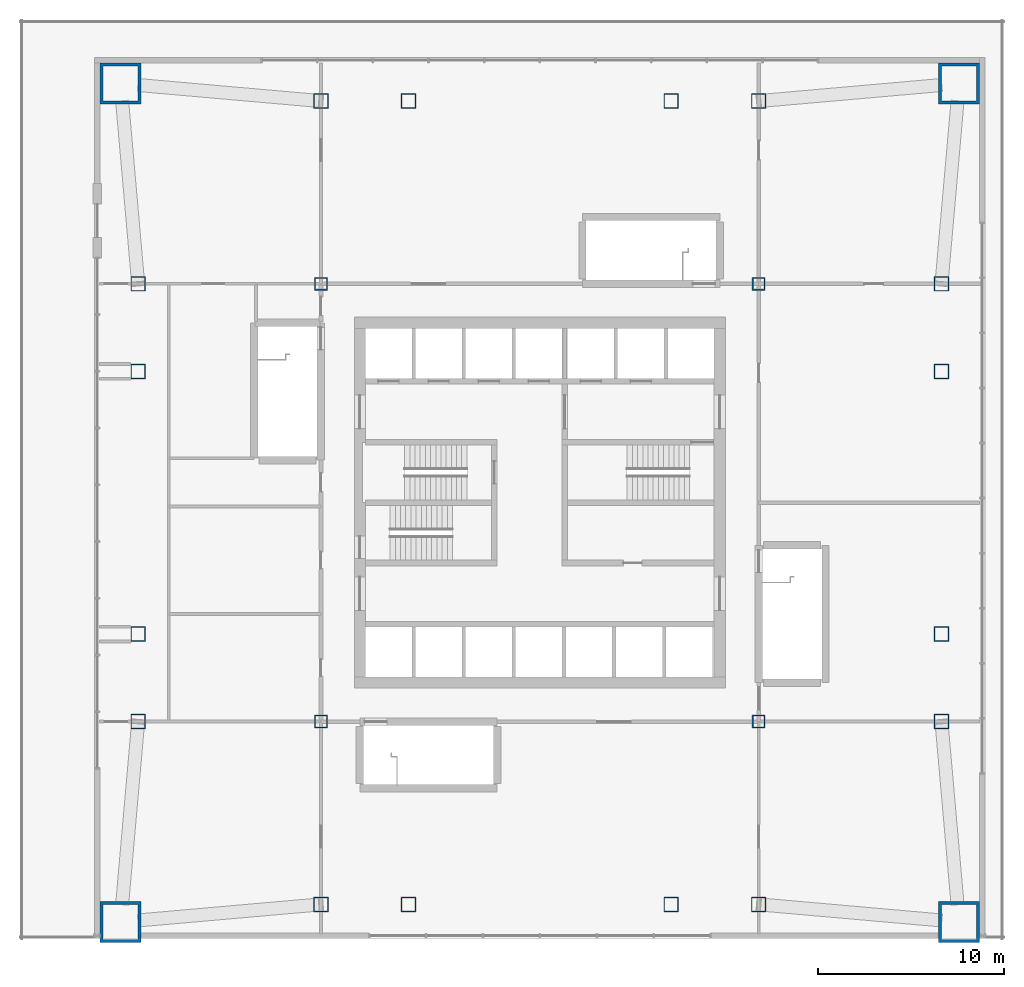
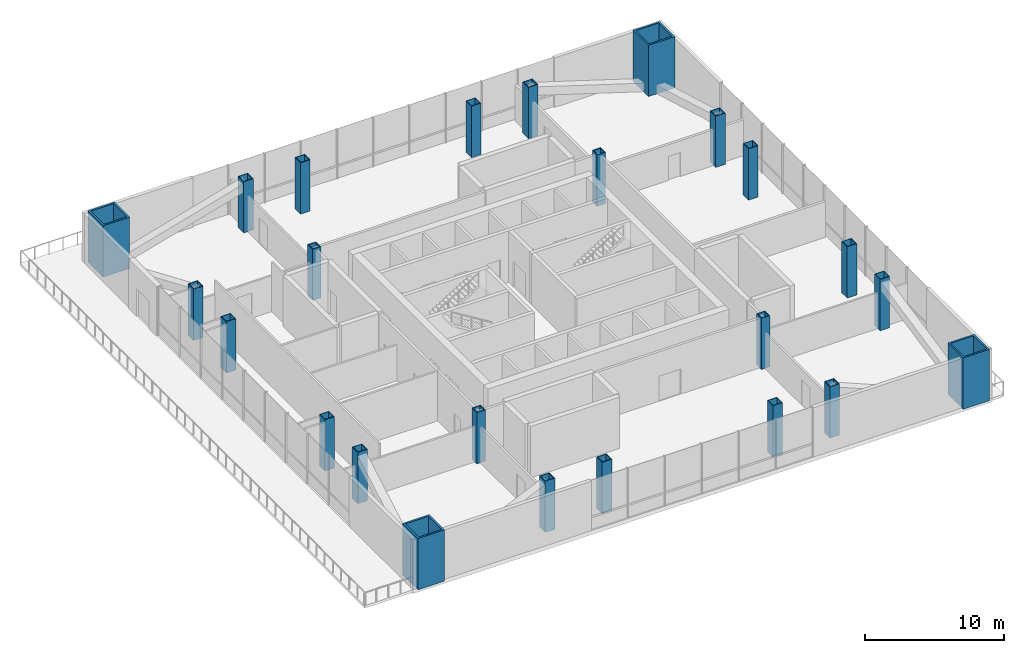
# One storey, part 1 of 15: 24 columns.
"""IFC4 building model written with IfcOpenShell, lengths in metres."""

from ifc_helpers import new_model, si_unit, direction, frame, origin, origin_2d, place, context, subcontext, project, spatial, hollow_rectangle, extrude, material, material_profile, profile_set, type_object, element, save


model = new_model("IFC4")

# Units and contexts
model_context = context("Model", 3, precision=1e-05, world=origin(), true_north=direction((0.0, 1.0)))
body_context = subcontext(model_context, "Body", "Model", "MODEL_VIEW")
ifc_project = project(units=[si_unit("LENGTHUNIT", "METRE"), si_unit("AREAUNIT", "SQUARE_METRE"), si_unit("VOLUMEUNIT", "CUBIC_METRE"), si_unit("PLANEANGLEUNIT", "RADIAN"), si_unit("MASSUNIT", "GRAM", prefix="KILO")], contexts=[model_context])

# Site, building, storey
site_placement = place(None, origin())
site = spatial("IfcSite", under=ifc_project, at=site_placement, CompositionType="ELEMENT")
building_placement = place(site_placement, origin())
building = spatial("IfcBuilding", under=site, at=building_placement, Name="Turquesa Mirador Hotel Tower", CompositionType="ELEMENT")
storey_placement = place(building_placement, frame((0.0, 0.0, 20.5)))
storey = spatial("IfcBuildingStorey", under=building, at=storey_placement, Name="L04", CompositionType="ELEMENT", Elevation=20.5)

# Columns
ifc_material_1 = material(Name="Steel ASTM A572 Grade 50", Category="steel")
ifc_material_profile_1 = material_profile(ifc_material_1, hollow_rectangle(XDim=0.699951171875, YDim=0.699951171875, WallThickness=0.06005859375, at=origin_2d()), Name="BOX700X700X60")
ifc_profile_set_1 = profile_set([ifc_material_profile_1], Name="Steel ASTM A572 Grade 50")
column_type_1 = type_object("IfcColumnType", Name="COLUMN BOX700X700X60", PredefinedType="COLUMN", material=ifc_profile_set_1)
for number, where, z_axis, x_axis, name in (
    (1, (43.199951171875, 33.199951171875, 0.0), (0.0, 0.0, 1.0), (1.0, 0.0, 0.0), "COL-L04-K--11.80--11.80"),
    (2, (43.199951171875, 56.800048828125, 0.0), (0.0, 0.0, 1.0), (1.0, 0.0, 0.0), "COL-L04-K--11.80-+11.80"),
    (3, (66.800048828125, 33.199951171875, 0.0), (0.0, 0.0, 1.0), (1.0, 0.0, 0.0), "COL-L04-K-+11.80--11.80"),
    (4, (66.800048828125, 56.800048828125, 0.0), (0.0, 0.0, 1.0), (1.0, 0.0, 0.0), "COL-L04-K-+11.80-+11.80"),
):
    element("IfcColumn", number, at=place(storey_placement, frame(where, z_axis=z_axis, x_axis=x_axis)), inside=storey, type_object=column_type_1, Name=name, PredefinedType="COLUMN", context=body_context, shape_type="SweptSolid", body=[
        extrude(hollow_rectangle(XDim=0.699951171875, YDim=0.699951171875, WallThickness=0.06005859375, at=origin_2d()), origin(), (0.0, 0.0, 1.0), 4.5),
    ])
ifc_material_2 = material(Name="Steel ASTM A572 Grade 50", Category="steel")
ifc_material_profile_2 = material_profile(ifc_material_2, hollow_rectangle(XDim=0.800048828125, YDim=0.800048828125, WallThickness=0.050048828125, at=origin_2d()), Name="BOX800X800X50")
ifc_profile_set_2 = profile_set([ifc_material_profile_2], Name="Steel ASTM A572 Grade 50")
column_type_2 = type_object("IfcColumnType", Name="COLUMN BOX800X800X50", PredefinedType="COLUMN", material=ifc_profile_set_2)
for number, where, z_axis, x_axis, name in (
    (5, (33.35009765625, 33.199951171875, 0.0), (0.0, 0.0, 1.0), (1.0, 0.0, 0.0), "COL-L04-P--21.65--11.80"),
    (6, (33.35009765625, 37.919921875, 0.0), (0.0, 0.0, 1.0), (1.0, 0.0, 0.0), "COL-L04-P--21.65--7.08"),
    (7, (33.35009765625, 52.080078125, 0.0), (0.0, 0.0, 1.0), (1.0, 0.0, 0.0), "COL-L04-P--21.65-+7.08"),
    (8, (33.35009765625, 56.800048828125, 0.0), (0.0, 0.0, 1.0), (1.0, 0.0, 0.0), "COL-L04-P--21.65-+11.80"),
    (9, (43.199951171875, 23.35009765625, 0.0), (0.0, 0.0, 1.0), (1.0, 0.0, 0.0), "COL-L04-P--11.80--21.65"),
    (10, (43.199951171875, 66.64990234375, 0.0), (0.0, 0.0, 1.0), (1.0, 0.0, 0.0), "COL-L04-P--11.80-+21.65"),
    (11, (47.919921875, 23.35009765625, 0.0), (0.0, 0.0, 1.0), (1.0, 0.0, 0.0), "COL-L04-P--7.08--21.65"),
    (12, (47.919921875, 66.64990234375, 0.0), (0.0, 0.0, 1.0), (1.0, 0.0, 0.0), "COL-L04-P--7.08-+21.65"),
    (13, (62.080078125, 23.35009765625, 0.0), (0.0, 0.0, 1.0), (1.0, 0.0, 0.0), "COL-L04-P-+7.08--21.65"),
    (14, (62.080078125, 66.64990234375, 0.0), (0.0, 0.0, 1.0), (1.0, 0.0, 0.0), "COL-L04-P-+7.08-+21.65"),
    (15, (66.800048828125, 23.35009765625, 0.0), (0.0, 0.0, 1.0), (1.0, 0.0, 0.0), "COL-L04-P-+11.80--21.65"),
    (16, (66.800048828125, 66.64990234375, 0.0), (0.0, 0.0, 1.0), (1.0, 0.0, 0.0), "COL-L04-P-+11.80-+21.65"),
    (17, (76.64990234375, 33.199951171875, 0.0), (0.0, 0.0, 1.0), (1.0, 0.0, 0.0), "COL-L04-P-+21.65--11.80"),
    (18, (76.64990234375, 37.919921875, 0.0), (0.0, 0.0, 1.0), (1.0, 0.0, 0.0), "COL-L04-P-+21.65--7.08"),
    (19, (76.64990234375, 52.080078125, 0.0), (0.0, 0.0, 1.0), (1.0, 0.0, 0.0), "COL-L04-P-+21.65-+7.08"),
    (20, (76.64990234375, 56.800048828125, 0.0), (0.0, 0.0, 1.0), (1.0, 0.0, 0.0), "COL-L04-P-+21.65-+11.80"),
):
    element("IfcColumn", number, at=place(storey_placement, frame(where, z_axis=z_axis, x_axis=x_axis)), inside=storey, type_object=column_type_2, Name=name, PredefinedType="COLUMN", context=body_context, shape_type="SweptSolid", body=[
        extrude(hollow_rectangle(XDim=0.800048828125, YDim=0.800048828125, WallThickness=0.050048828125, at=origin_2d()), origin(), (0.0, 0.0, 1.0), 4.5),
    ])
ifc_material_3 = material(Name="Steel ASTM A514 Grade Q", Category="steel")
ifc_material_profile_3 = material_profile(ifc_material_3, hollow_rectangle(XDim=2.199951171875, YDim=2.199951171875, WallThickness=0.14990234375, at=origin_2d()), Name="BOX2200X2200X150")
ifc_profile_set_3 = profile_set([ifc_material_profile_3], Name="Steel ASTM A514 Grade Q")
column_type_3 = type_object("IfcColumnType", Name="MEGA COLUMN BOX2200X2200X150", PredefinedType="COLUMN", material=ifc_profile_set_3)
for number, where, z_axis, x_axis, name in (
    (21, (77.60009765625, 67.60009765625, 0.0), (0.0, 0.0, 1.0), (1.0, 0.0, 0.0), "Mega column M1"),
    (22, (32.39990234375, 67.60009765625, 0.0), (0.0, 0.0, 1.0), (1.0, 0.0, 0.0), "Mega column M2"),
    (23, (32.39990234375, 22.39990234375, 0.0), (0.0, 0.0, 1.0), (1.0, 0.0, 0.0), "Mega column M3"),
    (24, (77.60009765625, 22.39990234375, 0.0), (0.0, 0.0, 1.0), (1.0, 0.0, 0.0), "Mega column M4"),
):
    element("IfcColumn", number, at=place(storey_placement, frame(where, z_axis=z_axis, x_axis=x_axis)), inside=storey, type_object=column_type_3, Name=name, PredefinedType="COLUMN", context=body_context, shape_type="SweptSolid", body=[
        extrude(hollow_rectangle(XDim=2.199951171875, YDim=2.199951171875, WallThickness=0.14990234375, at=origin_2d()), origin(), (0.0, 0.0, 1.0), 4.5),
    ])

save(model, "model.ifc")
